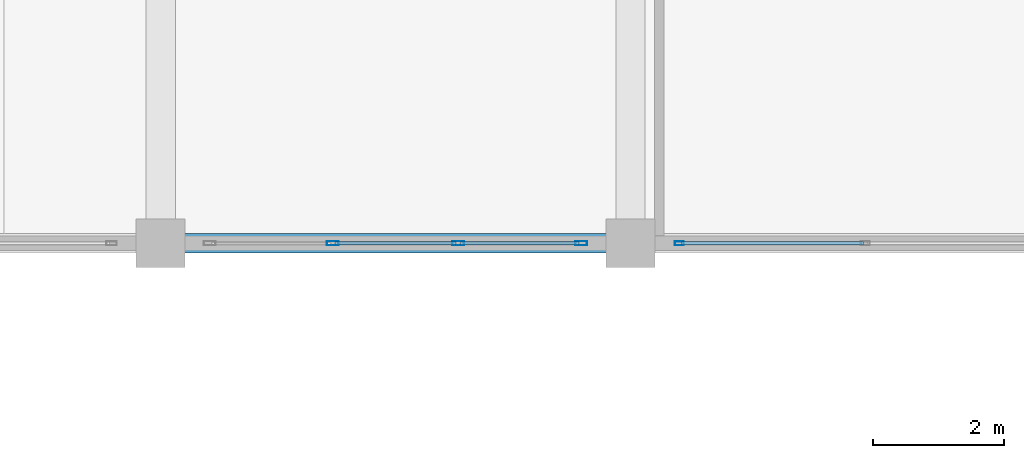
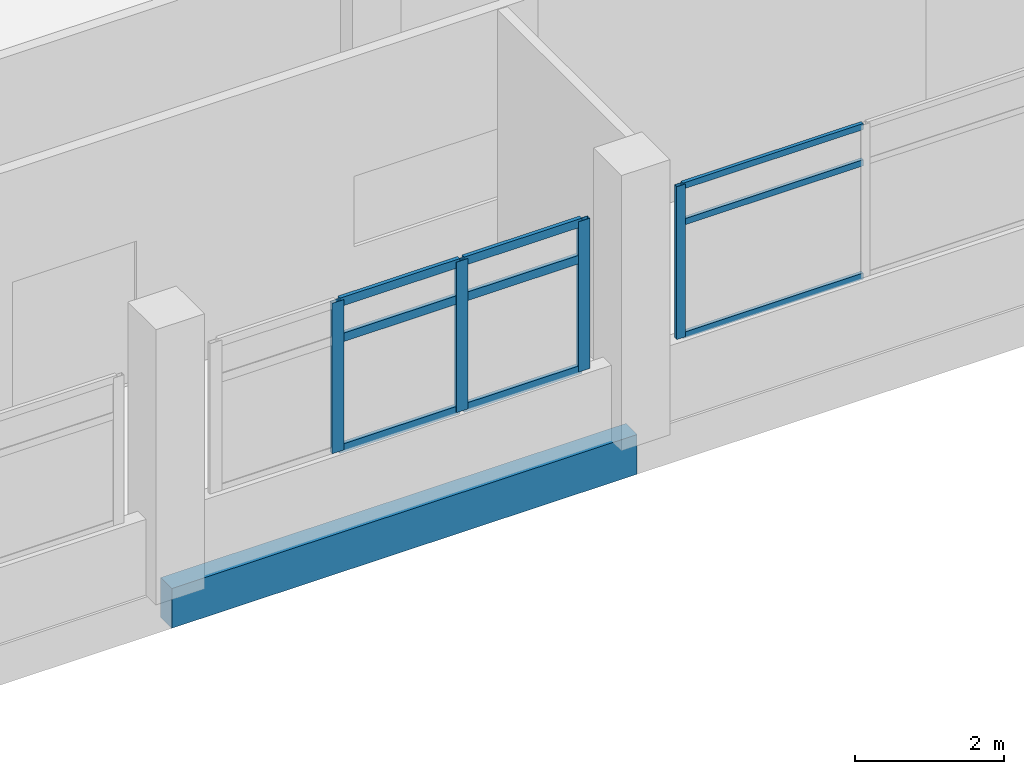
# One storey, part 34 of 141: 13 members, 1 beam, 2 elements without a shape of their own.
"""IFC4 building model written with IfcOpenShell, lengths in metres."""

from ifc_helpers import new_model, si_unit, direction, frame, origin, origin_2d, place, context, subcontext, project, spatial, rectangle, hollow_rectangle, extrude, material, layer, layer_set, material_profile, profile_set, type_object, element, aggregate, save


model = new_model("IFC4")

# Units and contexts
model_context = context("Model", 3, precision=1e-05, world=origin(), true_north=direction((0.0, 1.0)))
body_context = subcontext(model_context, "Body", "Model", "MODEL_VIEW")
ifc_project = project(units=[si_unit("LENGTHUNIT", "METRE"), si_unit("AREAUNIT", "SQUARE_METRE"), si_unit("VOLUMEUNIT", "CUBIC_METRE"), si_unit("PLANEANGLEUNIT", "RADIAN"), si_unit("MASSUNIT", "GRAM", prefix="KILO")], contexts=[model_context])

# Site, building, storey
site_placement = place(None, origin())
site = spatial("IfcSite", under=ifc_project, at=site_placement, CompositionType="ELEMENT")
building_placement = place(site_placement, origin())
building = spatial("IfcBuilding", under=site, at=building_placement, Name="Seraya Terrace Polytechnic", CompositionType="ELEMENT")
storey_placement = place(building_placement, frame((0.0, 0.0, 14.39990234375)))
storey = spatial("IfcBuildingStorey", under=building, at=storey_placement, Name="L03", CompositionType="ELEMENT", Elevation=14.39990234375)

# Curtain wall, members
ifc_material_1 = material(Name="Anodised aluminium EN AW-6063 T6", Category="aluminium")
ifc_layer_1 = layer(ifc_material_1, 0.179931640625, Name="CW-28")
ifc_layer_set_1 = layer_set([ifc_layer_1], Name="Anodised aluminium EN AW-6063 T6")
curtain_wall_type_1 = type_object("IfcCurtainWallType", Name="CW-28", PredefinedType="NOTDEFINED", material=ifc_layer_set_1)
curtain_wall_1_placement = place(storey_placement, origin())
curtain_wall_1 = element("IfcCurtainWall", 1, at=curtain_wall_1_placement, inside=storey, type_object=curtain_wall_type_1, Name="Unitised curtain wall CW-28 (CW-L03-100)", PredefinedType="NOTDEFINED")
ifc_material_profile_1 = material_profile(ifc_material_1, hollow_rectangle(XDim=0.06494140625, YDim=0.179931640625, WallThickness=0.00390625, at=origin_2d()), Name="RHS 180x65x4.0")
ifc_profile_set_1 = profile_set([ifc_material_profile_1], Name="Anodised aluminium EN AW-6063 T6")
member_type_1 = type_object("IfcMemberType", Name="CWM-01", PredefinedType="MULLION", material=ifc_profile_set_1)
member_1_placement = place(storey_placement, frame((100.047607421875, 0.0, 1.239990234375), z_axis=(0.0, 0.0, 1.0), x_axis=(0.0, -1.0, 0.0)))
member_1 = element("IfcMember", 2, at=member_1_placement, type_object=member_type_1, Name="CW-28 mullion 1", PredefinedType="MULLION", context=body_context, shape_type="SweptSolid", body=[
    extrude(hollow_rectangle(XDim=0.06494140625, YDim=0.179931640625, WallThickness=0.00390625, at=origin_2d()), origin(), (0.0, 0.0, 1.0), 2.460205078125),
])
member_2_placement = place(storey_placement, frame((98.159912109375, 0.0, 1.239990234375), z_axis=(0.0, 0.0, 1.0), x_axis=(0.0, -1.0, 0.0)))
member_2 = element("IfcMember", 3, at=member_2_placement, type_object=member_type_1, Name="CW-28 mullion 2", PredefinedType="MULLION", context=body_context, shape_type="SweptSolid", body=[
    extrude(hollow_rectangle(XDim=0.06494140625, YDim=0.179931640625, WallThickness=0.00390625, at=origin_2d()), origin(), (0.0, 0.0, 1.0), 2.460205078125),
])
member_3_placement = place(storey_placement, frame((96.239990234375, 0.0, 1.239990234375), z_axis=(0.0, 0.0, 1.0), x_axis=(0.0, -1.0, 0.0)))
member_3 = element("IfcMember", 4, at=member_3_placement, type_object=member_type_1, Name="CW-28 mullion 3", PredefinedType="MULLION", context=body_context, shape_type="SweptSolid", body=[
    extrude(hollow_rectangle(XDim=0.06494140625, YDim=0.179931640625, WallThickness=0.00390625, at=origin_2d()), origin(), (0.0, 0.0, 1.0), 2.460205078125),
])

# Curtain wall, member
ifc_layer_2 = layer(ifc_material_1, 0.179931640625, Name="CW-27")
ifc_layer_set_2 = layer_set([ifc_layer_2], Name="Anodised aluminium EN AW-6063 T6")
curtain_wall_type_2 = type_object("IfcCurtainWallType", Name="CW-27", PredefinedType="NOTDEFINED", material=ifc_layer_set_2)
curtain_wall_2_placement = place(storey_placement, origin())
curtain_wall_2 = element("IfcCurtainWall", 5, at=curtain_wall_2_placement, inside=storey, type_object=curtain_wall_type_2, Name="Unitised curtain wall CW-27 (CW-L03-099)", PredefinedType="NOTDEFINED")
ifc_material_profile_2 = material_profile(ifc_material_1, hollow_rectangle(XDim=0.06005859375, YDim=0.139892578125, WallThickness=0.00341796875, at=origin_2d()), Name="RHS 140x60x3.5")
ifc_profile_set_2 = profile_set([ifc_material_profile_2], Name="Anodised aluminium EN AW-6063 T6")
member_type_2 = type_object("IfcMemberType", Name="CWM-03", PredefinedType="MULLION", material=ifc_profile_set_2)
member_4_placement = place(storey_placement, frame((101.550048828125, 0.0, 1.239990234375), z_axis=(0.0, 0.0, 1.0), x_axis=(0.0, -1.0, 0.0)))
member_4 = element("IfcMember", 6, at=member_4_placement, type_object=member_type_2, Name="CW-27 mullion 3", PredefinedType="MULLION", context=body_context, shape_type="SweptSolid", body=[
    extrude(hollow_rectangle(XDim=0.06005859375, YDim=0.139892578125, WallThickness=0.00341796875, at=origin_2d()), origin(), (0.0, 0.0, 1.0), 2.5),
])

# Member
ifc_material_profile_3 = material_profile(ifc_material_1, hollow_rectangle(XDim=0.06005859375, YDim=0.139892578125, WallThickness=0.00341796875, at=origin_2d()), Name="RHS 140x60x3.5")
ifc_profile_set_3 = profile_set([ifc_material_profile_3], Name="Anodised aluminium EN AW-6063 T6")
member_type_3 = type_object("IfcMemberType", Name="CWT-01", PredefinedType="USERDEFINED", material=ifc_profile_set_3)
member_5_placement = place(storey_placement, frame((100.014892578125, 0.0, 1.27001953125), z_axis=(-1.0, 0.0, 0.0), x_axis=(0.0, -1.0, 0.0)))
member_5 = element("IfcMember", 7, at=member_5_placement, type_object=member_type_3, Name="CW-28 transom 1.1", ObjectType="TRANSOM", PredefinedType="USERDEFINED", context=body_context, shape_type="SweptSolid", body=[
    extrude(hollow_rectangle(XDim=0.06005859375, YDim=0.139892578125, WallThickness=0.00341796875, at=origin_2d()), origin(), (0.0, 0.0, 1.0), 1.822509765625),
])

member_6_placement = place(storey_placement, frame((100.014892578125, 0.0, 3.080078125), z_axis=(-1.0, 0.0, 0.0), x_axis=(0.0, -1.0, 0.0)))
member_6 = element("IfcMember", 8, at=member_6_placement, type_object=member_type_3, Name="CW-28 transom 1.2", ObjectType="TRANSOM", PredefinedType="USERDEFINED", context=body_context, shape_type="SweptSolid", body=[
    extrude(hollow_rectangle(XDim=0.06005859375, YDim=0.139892578125, WallThickness=0.00341796875, at=origin_2d()), origin(), (0.0, 0.0, 1.0), 1.822509765625),
])

member_7_placement = place(storey_placement, frame((100.014892578125, 0.0, 3.670166015625), z_axis=(-1.0, 0.0, 0.0), x_axis=(0.0, -1.0, 0.0)))
member_7 = element("IfcMember", 9, at=member_7_placement, type_object=member_type_3, Name="CW-28 transom 1.3", ObjectType="TRANSOM", PredefinedType="USERDEFINED", context=body_context, shape_type="SweptSolid", body=[
    extrude(hollow_rectangle(XDim=0.06005859375, YDim=0.139892578125, WallThickness=0.00341796875, at=origin_2d()), origin(), (0.0, 0.0, 1.0), 1.822509765625),
])

member_8_placement = place(storey_placement, frame((98.12744140625, 0.0, 1.27001953125), z_axis=(-1.0, 0.0, 0.0), x_axis=(0.0, -1.0, 0.0)))
member_8 = element("IfcMember", 10, at=member_8_placement, type_object=member_type_3, Name="CW-28 transom 2.1", ObjectType="TRANSOM", PredefinedType="USERDEFINED", context=body_context, shape_type="SweptSolid", body=[
    extrude(hollow_rectangle(XDim=0.06005859375, YDim=0.139892578125, WallThickness=0.00341796875, at=origin_2d()), origin(), (0.0, 0.0, 1.0), 1.85498046875),
])

member_9_placement = place(storey_placement, frame((98.12744140625, 0.0, 3.080078125), z_axis=(-1.0, 0.0, 0.0), x_axis=(0.0, -1.0, 0.0)))
member_9 = element("IfcMember", 11, at=member_9_placement, type_object=member_type_3, Name="CW-28 transom 2.2", ObjectType="TRANSOM", PredefinedType="USERDEFINED", context=body_context, shape_type="SweptSolid", body=[
    extrude(hollow_rectangle(XDim=0.06005859375, YDim=0.139892578125, WallThickness=0.00341796875, at=origin_2d()), origin(), (0.0, 0.0, 1.0), 1.85498046875),
])

member_10_placement = place(storey_placement, frame((98.12744140625, 0.0, 3.670166015625), z_axis=(-1.0, 0.0, 0.0), x_axis=(0.0, -1.0, 0.0)))
member_10 = element("IfcMember", 12, at=member_10_placement, type_object=member_type_3, Name="CW-28 transom 2.3", ObjectType="TRANSOM", PredefinedType="USERDEFINED", context=body_context, shape_type="SweptSolid", body=[
    extrude(hollow_rectangle(XDim=0.06005859375, YDim=0.139892578125, WallThickness=0.00341796875, at=origin_2d()), origin(), (0.0, 0.0, 1.0), 1.85498046875),
])

aggregate(curtain_wall_1, [member_1, member_2, member_3, member_5, member_6, member_7, member_8, member_9, member_10])

ifc_material_profile_4 = material_profile(ifc_material_1, hollow_rectangle(XDim=0.054931640625, YDim=0.10009765625, WallThickness=0.0029296875, at=origin_2d()), Name="RHS 100x55x3.0")
ifc_profile_set_4 = profile_set([ifc_material_profile_4], Name="Anodised aluminium EN AW-6063 T6")
member_type_4 = type_object("IfcMemberType", Name="CWT-03", PredefinedType="USERDEFINED", material=ifc_profile_set_4)
member_11_placement = place(storey_placement, frame((104.3701171875, 0.0, 1.267578125), z_axis=(-1.0, 0.0, 0.0), x_axis=(0.0, -1.0, 0.0)))
member_11 = element("IfcMember", 13, at=member_11_placement, type_object=member_type_4, Name="CW-27 transom 2.1", ObjectType="TRANSOM", PredefinedType="USERDEFINED", context=body_context, shape_type="SweptSolid", body=[
    extrude(hollow_rectangle(XDim=0.054931640625, YDim=0.10009765625, WallThickness=0.0029296875, at=origin_2d()), origin(), (0.0, 0.0, 1.0), 2.7900390625),
])

member_12_placement = place(storey_placement, frame((104.3701171875, 0.0, 3.1201171875), z_axis=(-1.0, 0.0, 0.0), x_axis=(0.0, -1.0, 0.0)))
member_12 = element("IfcMember", 14, at=member_12_placement, type_object=member_type_4, Name="CW-27 transom 2.2", ObjectType="TRANSOM", PredefinedType="USERDEFINED", context=body_context, shape_type="SweptSolid", body=[
    extrude(hollow_rectangle(XDim=0.054931640625, YDim=0.10009765625, WallThickness=0.0029296875, at=origin_2d()), origin(), (0.0, 0.0, 1.0), 2.7900390625),
])

member_13_placement = place(storey_placement, frame((104.3701171875, 0.0, 3.712646484375), z_axis=(-1.0, 0.0, 0.0), x_axis=(0.0, -1.0, 0.0)))
member_13 = element("IfcMember", 15, at=member_13_placement, type_object=member_type_4, Name="CW-27 transom 2.3", ObjectType="TRANSOM", PredefinedType="USERDEFINED", context=body_context, shape_type="SweptSolid", body=[
    extrude(hollow_rectangle(XDim=0.054931640625, YDim=0.10009765625, WallThickness=0.0029296875, at=origin_2d()), origin(), (0.0, 0.0, 1.0), 2.7900390625),
])

aggregate(curtain_wall_2, [member_4, member_11, member_12, member_13])

# Beam
ifc_material_2 = material(Name="Concrete C40/50", Category="concrete")
ifc_material_profile_5 = material_profile(ifc_material_2, rectangle(XDim=0.300048828125, YDim=0.64990234375, at=origin_2d()), Name="RC 300x650")
ifc_profile_set_5 = profile_set([ifc_material_profile_5], Name="Concrete C40/50")
beam_type = type_object("IfcBeamType", Name="SP-01", PredefinedType="SPANDREL", material=ifc_profile_set_5)
beam_placement = place(storey_placement, frame((93.60009765625, 0.0, -0.324951171875), z_axis=(1.0, 0.0, 0.0), x_axis=(0.0, 1.0, 0.0)))
element("IfcBeam", 16, at=beam_placement, inside=storey, type_object=beam_type, Name="Beam SP-01 L03 X (93.6..100.8, 0.0)", PredefinedType="SPANDREL", context=body_context, shape_type="SweptSolid", body=[
    extrude(rectangle(XDim=0.300048828125, YDim=0.64990234375, at=origin_2d()), origin(), (0.0, 0.0, 1.0), 7.199951171875),
])

save(model, "model.ifc")
